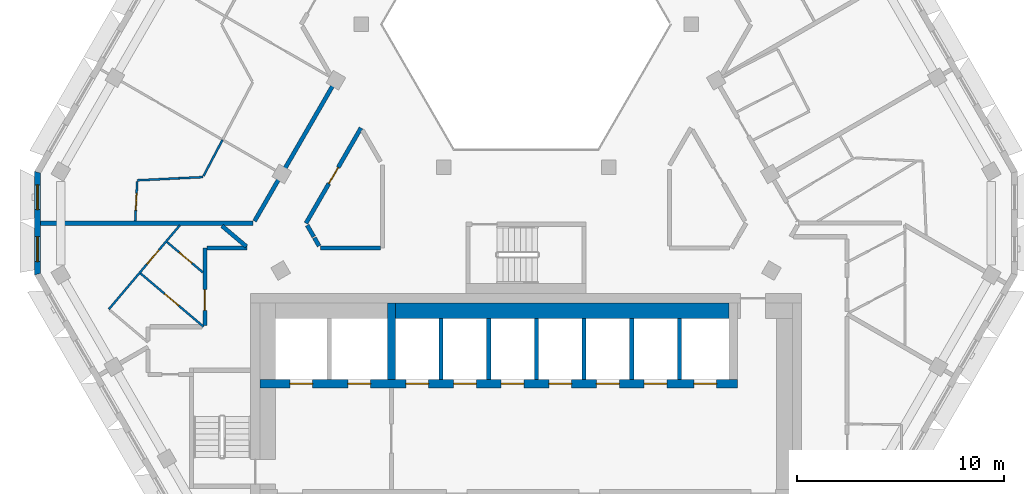
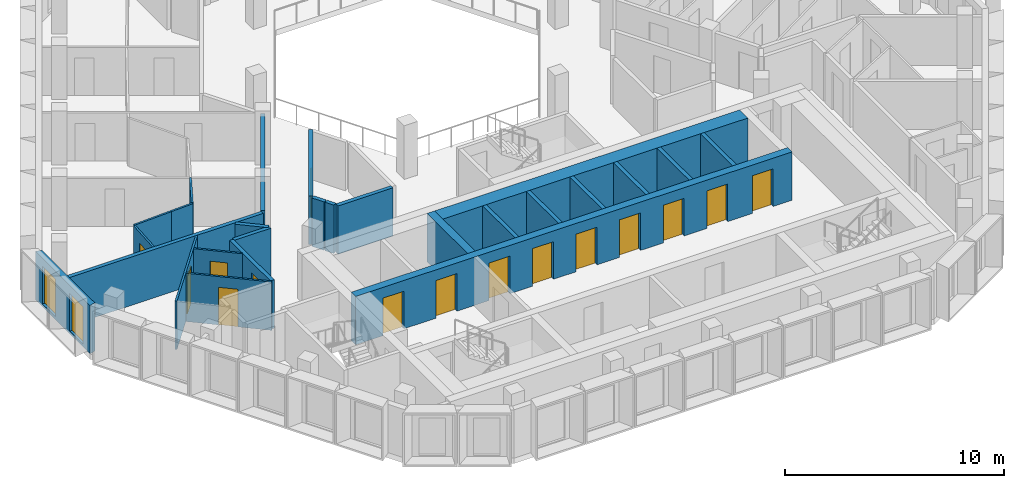
# One storey, part 4 of 16: 26 walls, 15 doors, 2 windows, 17 openings.
"""IFC4 building model written with IfcOpenShell, lengths in metres."""

from ifc_helpers import new_model, si_unit, direction, frame, frame_2d, origin, place, context, subcontext, project, spatial, polyline, rectangle, outline, extrude, material, layer, layer_set, type_object, element, fill, save


model = new_model("IFC4")

# Units and contexts
model_context = context("Model", 3, precision=1e-05, world=origin(), true_north=direction((0.0, 1.0)))
body_context = subcontext(model_context, "Body", "Model", "MODEL_VIEW")
ifc_project = project(units=[si_unit("LENGTHUNIT", "METRE"), si_unit("AREAUNIT", "SQUARE_METRE"), si_unit("VOLUMEUNIT", "CUBIC_METRE"), si_unit("PLANEANGLEUNIT", "RADIAN"), si_unit("MASSUNIT", "GRAM", prefix="KILO")], contexts=[model_context])

# Site, building, storey
site_placement = place(None, origin())
site = spatial("IfcSite", under=ifc_project, at=site_placement, CompositionType="ELEMENT")
building_placement = place(site_placement, origin())
building = spatial("IfcBuilding", under=site, at=building_placement, Name="Beryl Residences", CompositionType="ELEMENT")
storey_placement = place(building_placement, frame((0.0, 0.0, 238.800048828125)))
storey = spatial("IfcBuildingStorey", under=building, at=storey_placement, Name="L74", CompositionType="ELEMENT", Elevation=238.800048828125)

# Wall, openings, windows
ifc_material_1 = material(Name="Composite metal panel with mineral wool insulation")
ifc_layer_1 = layer(ifc_material_1, 0.300048828125)
ifc_layer_set_1 = layer_set([ifc_layer_1], Name="ES1 pale metal composite panel wall 300 mm")
wall_type_1 = type_object("IfcWallType", Name="ES1 pale metal composite panel wall 300 mm", PredefinedType="SOLIDWALL", material=ifc_layer_set_1)
wall_1_placement = place(storey_placement, frame((-23.5791015625, 0.89990234375, 0.0), z_axis=(0.0, 0.0, 1.0), x_axis=(0.0, -1.0, 0.0)))
wall_1 = element("IfcWall", 1, at=wall_1_placement, inside=storey, type_object=wall_type_1, Name="ES1 external wall L74 NW-SW", PredefinedType="SOLIDWALL", context=body_context, shape_type="SweptSolid", body=[
    extrude(outline(polyline([(0.0, -0.14990234375), (5.0, -0.14990234375), (4.919677734375, 0.14990234375), (0.080322265625, 0.14990234375), (0.0, -0.14990234375)])), origin(), (0.0, 0.0, 1.0), 2.699951171875),
])
opening_1_placement = place(wall_1_placement, frame((0.64990234375, 0.0, 0.14990234375)))
opening_1 = element("IfcOpeningElement", 2, at=opening_1_placement, cuts=wall_1, Name="Opening W2", PredefinedType="OPENING", context=body_context, shape_type="SweptSolid", body=[
    extrude(rectangle(XDim=1.199951171875, YDim=2.10009765625, at=frame_2d((0.60009765625, 1.050048828125))), frame((0.0, 0.159912109375, 0.0), z_axis=(0.0, -1.0, 0.0), x_axis=(1.0, 0.0, 0.0)), (0.0, 0.0, 1.0), 0.320068359375),
])
opening_2_placement = place(wall_1_placement, frame((3.14990234375, 0.0, 0.14990234375)))
opening_2 = element("IfcOpeningElement", 3, at=opening_2_placement, cuts=wall_1, Name="Opening W2", PredefinedType="OPENING", context=body_context, shape_type="SweptSolid", body=[
    extrude(rectangle(XDim=1.199951171875, YDim=2.10009765625, at=frame_2d((0.60009765625, 1.050048828125))), frame((0.0, 0.159912109375, 0.0), z_axis=(0.0, -1.0, 0.0), x_axis=(1.0, 0.0, 0.0)), (0.0, 0.0, 1.0), 0.320068359375),
])
ifc_material_2 = material(Name="Aluminium and clear glass", Category="aluminium")
window_type = type_object("IfcWindowType", Name="W2 chamfer window 1200 x 2100 mm", PartitioningType="SINGLE_PANEL", PredefinedType="WINDOW", material=ifc_material_2)
window_1_placement = place(opening_1_placement, origin())
window_1 = element("IfcWindow", 4, at=window_1_placement, inside=storey, type_object=window_type, Name="W2 window L74 NW-SW 1", OverallHeight=2.10009765625, OverallWidth=1.199951171875, PartitioningType="SINGLE_PANEL", PredefinedType="WINDOW", context=body_context, shape_type="SweptSolid", body=[
    extrude(rectangle(XDim=1.199951171875, YDim=2.10009765625, at=frame_2d((0.60009765625, 1.050048828125))), frame((0.0, 0.030029296875, 0.0), z_axis=(0.0, -1.0, 0.0), x_axis=(1.0, 0.0, 0.0)), (0.0, 0.0, 1.0), 0.06005859375),
])
fill(opening_1, window_1)
window_2_placement = place(opening_2_placement, origin())
window_2 = element("IfcWindow", 5, at=window_2_placement, inside=storey, type_object=window_type, Name="W2 window L74 NW-SW 2", OverallHeight=2.10009765625, OverallWidth=1.199951171875, PartitioningType="SINGLE_PANEL", PredefinedType="WINDOW", context=body_context, shape_type="SweptSolid", body=[
    extrude(rectangle(XDim=1.199951171875, YDim=2.10009765625, at=frame_2d((0.60009765625, 1.050048828125))), frame((0.0, 0.030029296875, 0.0), z_axis=(0.0, -1.0, 0.0), x_axis=(1.0, 0.0, 0.0)), (0.0, 0.0, 1.0), 0.06005859375),
])
fill(opening_2, window_2)

# Wall, opening, door
ifc_material_3 = material(Name="Gypsum board partition on steel studs", Category="steel")
ifc_layer_2 = layer(ifc_material_3, 0.10009765625)
ifc_layer_set_2 = layer_set([ifc_layer_2], Name="PT1 partition 100 mm gypsum board on steel studs")
wall_type_2 = type_object("IfcWallType", Name="PT1 partition 100 mm gypsum board on steel studs", PredefinedType="PARTITIONING", material=ifc_layer_set_2)
wall_2_placement = place(storey_placement, frame((-17.3330078125, -2.510986328125, 0.0), z_axis=(0.0, 0.0, 1.0), x_axis=(0.763651478242, -0.645628701174, 0.0)))
wall_2 = element("IfcWall", 6, at=wall_2_placement, inside=storey, type_object=wall_type_2, Name="Wall PT1 L74 019", PredefinedType="PARTITIONING", context=body_context, shape_type="SweptSolid", body=[
    extrude(rectangle(XDim=2.269287109375, YDim=0.10009765625, at=frame_2d((1.134765625, 0.0))), origin(), (0.0, 0.0, 1.0), 2.699951171875),
])
opening_3_placement = place(wall_2_placement, frame((0.77490234375, 0.0, 0.0)))
opening_3 = element("IfcOpeningElement", 7, at=opening_3_placement, cuts=wall_2, Name="Opening D2021", PredefinedType="OPENING", context=body_context, shape_type="SweptSolid", body=[
    extrude(rectangle(XDim=0.800048828125, YDim=2.10009765625, at=frame_2d((0.39990234375, 1.050048828125))), frame((0.0, 0.06005859375, 0.0), z_axis=(0.0, -1.0, 0.0), x_axis=(1.0, 0.0, 0.0)), (0.0, 0.0, 1.0), 0.1201171875),
])
ifc_material_4 = material(Name="Timber door leaf", Category="wood")
door_type_1 = type_object("IfcDoorType", Name="D3 bathroom door 800 x 2100 mm", OperationType="SINGLE_SWING_LEFT", PredefinedType="DOOR", material=ifc_material_4)
door_1_placement = place(opening_3_placement, origin())
door_1 = element("IfcDoor", 8, at=door_1_placement, inside=storey, type_object=door_type_1, Name="Door D2021 L74 001", OperationType="SINGLE_SWING_LEFT", OverallHeight=2.10009765625, OverallWidth=0.800048828125, PredefinedType="DOOR", context=body_context, shape_type="SweptSolid", body=[
    extrude(rectangle(XDim=0.800048828125, YDim=2.10009765625, at=frame_2d((0.39990234375, 1.050048828125))), frame((0.0, 0.02490234375, 0.0), z_axis=(0.0, -1.0, 0.0), x_axis=(1.0, 0.0, 0.0)), (0.0, 0.0, 1.0), 0.050048828125),
])
fill(opening_3, door_1)

wall_3_placement = place(storey_placement, frame((-18.611083984375, -4.02294921875, 0.0), z_axis=(0.0, 0.0, 1.0), x_axis=(0.763532454368, -0.645769456639, 0.0)))
wall_3 = element("IfcWall", 9, at=wall_3_placement, inside=storey, type_object=wall_type_2, Name="Wall PT1 L74 020", PredefinedType="PARTITIONING", context=body_context, shape_type="SweptSolid", body=[
    extrude(rectangle(XDim=3.99072265625, YDim=0.10009765625, at=frame_2d((1.995361328125, 0.0))), origin(), (0.0, 0.0, 1.0), 2.699951171875),
])
opening_4_placement = place(wall_3_placement, frame((1.52099609375, 0.0, 0.0)))
opening_4 = element("IfcOpeningElement", 10, at=opening_4_placement, cuts=wall_3, Name="Opening D2020", PredefinedType="OPENING", context=body_context, shape_type="SweptSolid", body=[
    extrude(rectangle(XDim=0.89990234375, YDim=2.10009765625, at=frame_2d((0.449951171875, 1.050048828125))), frame((0.0, 0.06005859375, 0.0), z_axis=(0.0, -1.0, 0.0), x_axis=(1.0, 0.0, 0.0)), (0.0, 0.0, 1.0), 0.1201171875),
])
ifc_material_5 = material(Name="Timber door leaf", Category="wood")
door_type_2 = type_object("IfcDoorType", Name="D2 room door 900 x 2100 mm", OperationType="SINGLE_SWING_LEFT", PredefinedType="DOOR", material=ifc_material_5)
door_2_placement = place(opening_4_placement, origin())
door_2 = element("IfcDoor", 11, at=door_2_placement, inside=storey, type_object=door_type_2, Name="Door D2020 L74 001", OperationType="SINGLE_SWING_RIGHT", OverallHeight=2.10009765625, OverallWidth=0.89990234375, PredefinedType="DOOR", context=body_context, shape_type="SweptSolid", body=[
    extrude(rectangle(XDim=0.89990234375, YDim=2.10009765625, at=frame_2d((0.449951171875, 1.050048828125))), frame((0.0, 0.02490234375, 0.0), z_axis=(0.0, -1.0, 0.0), x_axis=(1.0, 0.0, 0.0)), (0.0, 0.0, 1.0), 0.050048828125),
])
fill(opening_4, door_2)

wall_4_placement = place(storey_placement, frame((-20.14111328125, -5.75390625, 0.0), z_axis=(0.0, 0.0, 1.0), x_axis=(0.645717522601, 0.763576375359, 0.0)))
wall_4 = element("IfcWall", 12, at=wall_4_placement, inside=storey, type_object=wall_type_2, Name="Wall PT1 L74 023", PredefinedType="PARTITIONING", context=body_context, shape_type="SweptSolid", body=[
    extrude(rectangle(XDim=5.30908203125, YDim=0.10009765625, at=frame_2d((2.654541015625, 0.0))), origin(), (0.0, 0.0, 1.0), 2.699951171875),
])
opening_5_placement = place(wall_4_placement, frame((2.85009765625, 0.0, 0.0)))
opening_5 = element("IfcOpeningElement", 13, at=opening_5_placement, cuts=wall_4, Name="Opening D2022", PredefinedType="OPENING", context=body_context, shape_type="SweptSolid", body=[
    extrude(rectangle(XDim=0.89990234375, YDim=2.10009765625, at=frame_2d((0.449951171875, 1.050048828125))), frame((0.0, 0.06005859375, 0.0), z_axis=(0.0, -1.0, 0.0), x_axis=(1.0, 0.0, 0.0)), (0.0, 0.0, 1.0), 0.1201171875),
])
door_3_placement = place(opening_5_placement, origin())
door_3 = element("IfcDoor", 14, at=door_3_placement, inside=storey, type_object=door_type_2, Name="Door D2022 L74 001", OperationType="SINGLE_SWING_RIGHT", OverallHeight=2.10009765625, OverallWidth=0.89990234375, PredefinedType="DOOR", context=body_context, shape_type="SweptSolid", body=[
    extrude(rectangle(XDim=0.89990234375, YDim=2.10009765625, at=frame_2d((0.449951171875, 1.050048828125))), frame((0.0, 0.02490234375, 0.0), z_axis=(0.0, -1.0, 0.0), x_axis=(1.0, 0.0, 0.0)), (0.0, 0.0, 1.0), 0.050048828125),
])
fill(opening_5, door_3)

# Wall
wall_5_placement = place(storey_placement, frame((-15.572021484375, 0.676025390625, 0.0), z_axis=(0.0, 0.0, 1.0), x_axis=(0.465298498919, 0.885153832339, 0.0)))
element("IfcWall", 15, at=wall_5_placement, inside=storey, type_object=wall_type_2, Name="Wall PT1 L74 026", PredefinedType="PARTITIONING", context=body_context, shape_type="SweptSolid", body=[
    extrude(rectangle(XDim=1.97705078125, YDim=0.10009765625, at=frame_2d((0.988525390625, 0.0))), origin(), (0.0, 0.0, 1.0), 2.699951171875),
])

# Wall, opening, door
wall_6_placement = place(storey_placement, frame((-18.865966796875, -1.5, 0.0), z_axis=(0.0, 0.0, 1.0), x_axis=(0.048923533446, 0.998802526967, 0.0)))
wall_6 = element("IfcWall", 16, at=wall_6_placement, inside=storey, type_object=wall_type_2, Name="Wall PT1 L74 030", PredefinedType="PARTITIONING", context=body_context, shape_type="SweptSolid", body=[
    extrude(rectangle(XDim=1.921142578125, YDim=0.10009765625, at=frame_2d((0.96044921875, 0.0))), origin(), (0.0, 0.0, 1.0), 2.699951171875),
])
opening_6_placement = place(wall_6_placement, frame((0.535888671875, 0.0, 0.0)))
opening_6 = element("IfcOpeningElement", 17, at=opening_6_placement, cuts=wall_6, Name="Opening D2018", PredefinedType="OPENING", context=body_context, shape_type="SweptSolid", body=[
    extrude(rectangle(XDim=0.800048828125, YDim=2.10009765625, at=frame_2d((0.39990234375, 1.050048828125))), frame((0.0, 0.06005859375, 0.0), z_axis=(0.0, -1.0, 0.0), x_axis=(1.0, 0.0, 0.0)), (0.0, 0.0, 1.0), 0.1201171875),
])
door_4_placement = place(opening_6_placement, origin())
door_4 = element("IfcDoor", 18, at=door_4_placement, inside=storey, type_object=door_type_1, Name="Door D2018 L74 001", OperationType="SINGLE_SWING_RIGHT", OverallHeight=2.10009765625, OverallWidth=0.800048828125, PredefinedType="DOOR", context=body_context, shape_type="SweptSolid", body=[
    extrude(rectangle(XDim=0.800048828125, YDim=2.10009765625, at=frame_2d((0.39990234375, 1.050048828125))), frame((0.0, 0.02490234375, 0.0), z_axis=(0.0, -1.0, 0.0), x_axis=(1.0, 0.0, 0.0)), (0.0, 0.0, 1.0), 0.050048828125),
])
fill(opening_6, door_4)

# Walls
wall_7_placement = place(storey_placement, frame((-18.76904296875, 0.468994140625, 0.0), z_axis=(0.0, 0.0, 1.0), x_axis=(0.998780383332, 0.049373534108, 0.0)))
element("IfcWall", 19, at=wall_7_placement, inside=storey, type_object=wall_type_2, Name="Wall PT1 L74 041", PredefinedType="PARTITIONING", context=body_context, shape_type="SweptSolid", body=[
    extrude(rectangle(XDim=2.007568359375, YDim=0.10009765625, at=frame_2d((1.00390625, 0.0))), origin(), (0.0, 0.0, 1.0), 2.699951171875),
])
wall_8_placement = place(storey_placement, frame((-16.763916015625, 0.568115234375, 0.0), z_axis=(0.0, 0.0, 1.0), x_axis=(0.998809616198, 0.048778587419, 0.0)))
element("IfcWall", 20, at=wall_8_placement, inside=storey, type_object=wall_type_2, Name="Wall PT1 L74 042", PredefinedType="PARTITIONING", context=body_context, shape_type="SweptSolid", body=[
    extrude(rectangle(XDim=1.166259765625, YDim=0.10009765625, at=frame_2d((0.5830078125, 0.0))), origin(), (0.0, 0.0, 1.0), 2.699951171875),
])
ifc_material_6 = material(Name="Acoustic double stud gypsum board wall")
ifc_layer_3 = layer(ifc_material_6, 0.199951171875)
ifc_layer_set_3 = layer_set([ifc_layer_3], Name="PT3 party wall 200 mm acoustic double stud")
wall_type_3 = type_object("IfcWallType", Name="PT3 party wall 200 mm acoustic double stud", PredefinedType="PARTITIONING", material=ifc_layer_set_3)
wall_9_placement = place(storey_placement, frame((-14.677978515625, -1.72998046875, 0.0), z_axis=(0.0, 0.0, 1.0), x_axis=(0.763428399558, -0.645892466861, 0.0)))
element("IfcWall", 21, at=wall_9_placement, inside=storey, type_object=wall_type_3, Name="Wall PT3 L74 005", PredefinedType="PARTITIONING", context=body_context, shape_type="SweptSolid", body=[
    extrude(rectangle(XDim=1.5390625, YDim=0.199951171875, at=frame_2d((0.76953125, 0.0))), origin(), (0.0, 0.0, 1.0), 2.699951171875),
])
wall_10_placement = place(storey_placement, frame((-23.428955078125, -1.60107421875, 0.0), z_axis=(0.0, 0.0, 1.0), x_axis=(0.999999995449, 9.5406191e-05, 0.0)))
element("IfcWall", 22, at=wall_10_placement, inside=storey, type_object=wall_type_3, Name="Wall PT3 L74 006", PredefinedType="PARTITIONING", context=body_context, shape_type="SweptSolid", body=[
    extrude(rectangle(XDim=10.23583984375, YDim=0.199951171875, at=frame_2d((5.117919921875, 0.0))), origin(), (0.0, 0.0, 1.0), 2.699951171875),
])
ifc_material_7 = material(Name="Double stud gypsum board wall")
ifc_layer_4 = layer(ifc_material_7, 0.199951171875)
ifc_layer_set_4 = layer_set([ifc_layer_4], Name="PT4 corridor wall 200 mm double stud")
wall_type_4 = type_object("IfcWallType", Name="PT4 corridor wall 200 mm double stud", PredefinedType="PARTITIONING", material=ifc_layer_set_4)
wall_11_placement = place(storey_placement, frame((-10.56494140625, -1.700927734375, 0.0), z_axis=(0.0, 0.0, 1.0), x_axis=(0.499512735409, -0.866306543416, 0.0)))
element("IfcWall", 23, at=wall_11_placement, inside=storey, type_object=wall_type_4, Name="Wall PT4 L74 003", PredefinedType="PARTITIONING", context=body_context, shape_type="SweptSolid", body=[
    extrude(rectangle(XDim=0.638427734375, YDim=0.199951171875, at=frame_2d((0.3193359375, 0.0))), origin(), (0.0, 0.0, 1.0), 2.699951171875),
])
wall_12_placement = place(storey_placement, frame((-10.217041015625, -2.303955078125, 0.0), z_axis=(0.0, 0.0, 1.0), x_axis=(0.499013081552, -0.866594452117, 0.0)))
element("IfcWall", 24, at=wall_12_placement, inside=storey, type_object=wall_type_4, Name="Wall PT4 L74 004", PredefinedType="PARTITIONING", context=body_context, shape_type="SweptSolid", body=[
    extrude(rectangle(XDim=0.45703125, YDim=0.199951171875, at=frame_2d((0.228515625, 0.0))), origin(), (0.0, 0.0, 1.0), 2.699951171875),
])
wall_13_placement = place(storey_placement, frame((-15.39892578125, -2.800048828125, 0.0), z_axis=(0.0, 0.0, 1.0), x_axis=(1.0, 0.0, 0.0)))
element("IfcWall", 25, at=wall_13_placement, inside=storey, type_object=wall_type_4, Name="Wall PT4 L74 015", PredefinedType="PARTITIONING", context=body_context, shape_type="SweptSolid", body=[
    extrude(rectangle(XDim=1.9248046875, YDim=0.199951171875, at=frame_2d((0.96240234375, 0.0))), origin(), (0.0, 0.0, 1.0), 2.699951171875),
])
wall_14_placement = place(storey_placement, frame((-9.929931640625, -2.800048828125, 0.0), z_axis=(0.0, 0.0, 1.0), x_axis=(1.0, 0.0, 0.0)))
element("IfcWall", 26, at=wall_14_placement, inside=storey, type_object=wall_type_4, Name="Wall PT4 L74 016", PredefinedType="PARTITIONING", context=body_context, shape_type="SweptSolid", body=[
    extrude(rectangle(XDim=2.90087890625, YDim=0.199951171875, at=frame_2d((1.450439453125, 0.0))), origin(), (0.0, 0.0, 1.0), 2.699951171875),
])

# Wall, opening, door
wall_15_placement = place(storey_placement, frame((-10.623046875, -1.60009765625, 0.0), z_axis=(0.0, 0.0, 1.0), x_axis=(0.500040865889, 0.866001808567, 0.0)))
wall_15 = element("IfcWall", 27, at=wall_15_placement, inside=storey, type_object=wall_type_4, Name="Wall PT4 L74 024", PredefinedType="PARTITIONING", context=body_context, shape_type="SweptSolid", body=[
    extrude(rectangle(XDim=5.3095703125, YDim=0.199951171875, at=frame_2d((2.65478515625, 0.0))), origin(), (0.0, 0.0, 1.0), 2.699951171875),
])
opening_7_placement = place(wall_15_placement, frame((2.205078125, 0.0, 0.0)))
opening_7 = element("IfcOpeningElement", 28, at=opening_7_placement, cuts=wall_15, Name="Opening D2038", PredefinedType="OPENING", context=body_context, shape_type="SweptSolid", body=[
    extrude(rectangle(XDim=0.89990234375, YDim=2.10009765625, at=frame_2d((0.449951171875, 1.050048828125))), frame((0.0, 0.10986328125, 0.0), z_axis=(0.0, -1.0, 0.0), x_axis=(1.0, 0.0, 0.0)), (0.0, 0.0, 1.0), 0.219970703125),
])
door_5_placement = place(opening_7_placement, origin())
door_5 = element("IfcDoor", 29, at=door_5_placement, inside=storey, type_object=door_type_2, Name="Door D2038 L74 001", OperationType="SINGLE_SWING_RIGHT", OverallHeight=2.10009765625, OverallWidth=0.89990234375, PredefinedType="DOOR", context=body_context, shape_type="SweptSolid", body=[
    extrude(rectangle(XDim=0.89990234375, YDim=2.10009765625, at=frame_2d((0.449951171875, 1.050048828125))), frame((0.0, 0.02490234375, 0.0), z_axis=(0.0, -1.0, 0.0), x_axis=(1.0, 0.0, 0.0)), (0.0, 0.0, 1.0), 0.050048828125),
])
fill(opening_7, door_5)

# Wall
wall_16_placement = place(storey_placement, frame((-13.10595703125, -1.5, 0.0), z_axis=(0.0, 0.0, 1.0), x_axis=(0.500025705601, 0.86601056214, 0.0)))
element("IfcWall", 30, at=wall_16_placement, inside=storey, type_object=wall_type_4, Name="Wall PT4 L74 025", PredefinedType="PARTITIONING", context=body_context, shape_type="SweptSolid", body=[
    extrude(rectangle(XDim=7.7353515625, YDim=0.199951171875, at=frame_2d((3.86767578125, 0.0))), origin(), (0.0, 0.0, 1.0), 2.699951171875),
])

# Wall, opening, door
wall_17_placement = place(storey_placement, frame((-15.5, -6.533935546875, 0.0), z_axis=(0.0, 0.0, 1.0), x_axis=(0.0, 1.0, 0.0)))
wall_17 = element("IfcWall", 31, at=wall_17_placement, inside=storey, type_object=wall_type_4, Name="Wall PT4 L74 030", PredefinedType="PARTITIONING", context=body_context, shape_type="SweptSolid", body=[
    extrude(rectangle(XDim=3.73291015625, YDim=0.199951171875, at=frame_2d((1.866455078125, 0.0))), origin(), (0.0, 0.0, 1.0), 2.699951171875),
])
opening_8_placement = place(wall_17_placement, frame((0.72900390625, 0.0, 0.0)))
opening_8 = element("IfcOpeningElement", 32, at=opening_8_placement, cuts=wall_17, Name="Opening D2019", PredefinedType="OPENING", context=body_context, shape_type="SweptSolid", body=[
    extrude(rectangle(XDim=1.0, YDim=2.10009765625, at=frame_2d((0.5, 1.050048828125))), frame((0.0, 0.10986328125, 0.0), z_axis=(0.0, -1.0, 0.0), x_axis=(1.0, 0.0, 0.0)), (0.0, 0.0, 1.0), 0.219970703125),
])
ifc_material_8 = material(Name="Timber door leaf", Category="wood")
door_type_3 = type_object("IfcDoorType", Name="D1 flat entrance door 1000 x 2100 mm", OperationType="SINGLE_SWING_LEFT", PredefinedType="DOOR", material=ifc_material_8)
door_6_placement = place(opening_8_placement, origin())
door_6 = element("IfcDoor", 33, at=door_6_placement, inside=storey, type_object=door_type_3, Name="Door D2019 L74 001", OperationType="SINGLE_SWING_LEFT", OverallHeight=2.10009765625, OverallWidth=1.0, PredefinedType="DOOR", context=body_context, shape_type="SweptSolid", body=[
    extrude(rectangle(XDim=1.0, YDim=2.10009765625, at=frame_2d((0.5, 1.050048828125))), frame((0.0, 0.02490234375, 0.0), z_axis=(0.0, -1.0, 0.0), x_axis=(1.0, 0.0, 0.0)), (0.0, 0.0, 1.0), 0.050048828125),
])
fill(opening_8, door_6)

# Walls
ifc_material_9 = material(Name="Concrete C40/50", Category="concrete")
ifc_layer_5 = layer(ifc_material_9, 0.199951171875)
ifc_layer_set_5 = layer_set([ifc_layer_5], Name="PT6 lift shaft wall 200 mm reinforced concrete C40/50")
wall_type_5 = type_object("IfcWallType", Name="PT6 lift shaft wall 200 mm reinforced concrete C40/50", PredefinedType="SOLIDWALL", material=ifc_layer_set_5)
for number, where, z_axis, x_axis, name in (
    (34, (-4.10009765625, -9.14990234375, 0.0), (0.0, 0.0, 1.0), (0.0, 1.0, 0.0), "Lift shaft wall 15"),
    (35, (-1.800048828125, -9.14990234375, 0.0), (0.0, 0.0, 1.0), (0.0, 1.0, 0.0), "Lift shaft wall 17"),
    (36, (0.5, -9.14990234375, 0.0), (0.0, 0.0, 1.0), (0.0, 1.0, 0.0), "Lift shaft wall 19"),
    (37, (2.800048828125, -9.14990234375, 0.0), (0.0, 0.0, 1.0), (0.0, 1.0, 0.0), "Lift shaft wall 20"),
    (38, (5.10009765625, -9.14990234375, 0.0), (0.0, 0.0, 1.0), (0.0, 1.0, 0.0), "Lift shaft wall 21"),
    (39, (7.39990234375, -9.14990234375, 0.0), (0.0, 0.0, 1.0), (0.0, 1.0, 0.0), "Lift shaft wall 23"),
):
    element("IfcWall", number, at=place(storey_placement, frame(where, z_axis=z_axis, x_axis=x_axis)), inside=storey, type_object=wall_type_5, Name=name, PredefinedType="SOLIDWALL", context=body_context, shape_type="SweptSolid", body=[
        extrude(rectangle(XDim=2.949951171875, YDim=0.199951171875, at=frame_2d((1.47509765625, 0.0))), origin(), (0.0, 0.0, 1.0), 2.699951171875),
    ])
ifc_material_10 = material(Name="Concrete C40/50", Category="concrete")
ifc_layer_6 = layer(ifc_material_10, 0.75)
ifc_layer_set_6 = layer_set([ifc_layer_6], Name="PT6-750 lift shaft wall 750 mm")
wall_type_6 = type_object("IfcWallType", Name="PT6-750 lift shaft wall 750 mm", PredefinedType="SOLIDWALL", material=ifc_layer_set_6)
wall_18_placement = place(storey_placement, frame((-6.300048828125, -5.824951171875, 0.0), z_axis=(0.0, 0.0, 1.0), x_axis=(1.0, 0.0, 0.0)))
element("IfcWall", 40, at=wall_18_placement, inside=storey, type_object=wall_type_6, Name="Lift shaft wall 14", PredefinedType="SOLIDWALL", context=body_context, shape_type="SweptSolid", body=[
    extrude(rectangle(XDim=16.10009765625, YDim=0.75, at=frame_2d((8.050048828125, 0.0))), origin(), (0.0, 0.0, 1.0), 2.699951171875),
])

# Wall, openings, doors
ifc_material_11 = material(Name="Concrete C50/60", Category="concrete")
ifc_layer_7 = layer(ifc_material_11, 0.39990234375)
ifc_layer_set_7 = layer_set([ifc_layer_7], Name="SW10 core internal wall 400 mm C50/60")
wall_type_7 = type_object("IfcWallType", Name="SW10 core internal wall 400 mm C50/60", PredefinedType="SHEAR", material=ifc_layer_set_7)
wall_19_placement = place(storey_placement, frame((-12.85009765625, -9.35009765625, 0.0), z_axis=(0.0, 0.0, 1.0), x_axis=(1.0, 0.0, 0.0)))
wall_19 = element("IfcWall", 41, at=wall_19_placement, inside=storey, type_object=wall_type_7, Name="Core wall SP2 L74", PredefinedType="SHEAR", context=body_context, shape_type="SweptSolid", body=[
    extrude(rectangle(XDim=23.050048828125, YDim=0.39990234375, at=frame_2d((11.52490234375, 0.0))), origin(), (0.0, 0.0, 1.0), 2.699951171875),
])
opening_9_placement = place(wall_19_placement, frame((1.449951171875, 0.0, 0.0)))
opening_9 = element("IfcOpeningElement", 42, at=opening_9_placement, cuts=wall_19, Name="Opening LD-FF1", PredefinedType="OPENING", context=body_context, shape_type="SweptSolid", body=[
    extrude(rectangle(XDim=1.10009765625, YDim=2.10009765625, at=frame_2d((0.550048828125, 1.050048828125))), frame((0.0, 0.2099609375, 0.0), z_axis=(0.0, -1.0, 0.0), x_axis=(1.0, 0.0, 0.0)), (0.0, 0.0, 1.0), 0.419921875),
])
opening_10_placement = place(wall_19_placement, frame((4.25, 0.0, 0.0)))
opening_10 = element("IfcOpeningElement", 43, at=opening_10_placement, cuts=wall_19, Name="Opening LD-FF2", PredefinedType="OPENING", context=body_context, shape_type="SweptSolid", body=[
    extrude(rectangle(XDim=1.10009765625, YDim=2.10009765625, at=frame_2d((0.550048828125, 1.050048828125))), frame((0.0, 0.2099609375, 0.0), z_axis=(0.0, -1.0, 0.0), x_axis=(1.0, 0.0, 0.0)), (0.0, 0.0, 1.0), 0.419921875),
])
opening_11_placement = place(wall_19_placement, frame((7.050048828125, 0.0, 0.0)))
opening_11 = element("IfcOpeningElement", 44, at=opening_11_placement, cuts=wall_19, Name="Opening LD-HR1", PredefinedType="OPENING", context=body_context, shape_type="SweptSolid", body=[
    extrude(rectangle(XDim=1.10009765625, YDim=2.10009765625, at=frame_2d((0.550048828125, 1.050048828125))), frame((0.0, 0.2099609375, 0.0), z_axis=(0.0, -1.0, 0.0), x_axis=(1.0, 0.0, 0.0)), (0.0, 0.0, 1.0), 0.419921875),
])
opening_12_placement = place(wall_19_placement, frame((9.35009765625, 0.0, 0.0)))
opening_12 = element("IfcOpeningElement", 45, at=opening_12_placement, cuts=wall_19, Name="Opening LD-HR2", PredefinedType="OPENING", context=body_context, shape_type="SweptSolid", body=[
    extrude(rectangle(XDim=1.10009765625, YDim=2.10009765625, at=frame_2d((0.550048828125, 1.050048828125))), frame((0.0, 0.2099609375, 0.0), z_axis=(0.0, -1.0, 0.0), x_axis=(1.0, 0.0, 0.0)), (0.0, 0.0, 1.0), 0.419921875),
])
opening_13_placement = place(wall_19_placement, frame((11.64990234375, 0.0, 0.0)))
opening_13 = element("IfcOpeningElement", 46, at=opening_13_placement, cuts=wall_19, Name="Opening LD-HR3", PredefinedType="OPENING", context=body_context, shape_type="SweptSolid", body=[
    extrude(rectangle(XDim=1.10009765625, YDim=2.10009765625, at=frame_2d((0.550048828125, 1.050048828125))), frame((0.0, 0.2099609375, 0.0), z_axis=(0.0, -1.0, 0.0), x_axis=(1.0, 0.0, 0.0)), (0.0, 0.0, 1.0), 0.419921875),
])
opening_14_placement = place(wall_19_placement, frame((13.949951171875, 0.0, 0.0)))
opening_14 = element("IfcOpeningElement", 47, at=opening_14_placement, cuts=wall_19, Name="Opening LD-HR4", PredefinedType="OPENING", context=body_context, shape_type="SweptSolid", body=[
    extrude(rectangle(XDim=1.10009765625, YDim=2.10009765625, at=frame_2d((0.550048828125, 1.050048828125))), frame((0.0, 0.2099609375, 0.0), z_axis=(0.0, -1.0, 0.0), x_axis=(1.0, 0.0, 0.0)), (0.0, 0.0, 1.0), 0.419921875),
])
opening_15_placement = place(wall_19_placement, frame((16.25, 0.0, 0.0)))
opening_15 = element("IfcOpeningElement", 48, at=opening_15_placement, cuts=wall_19, Name="Opening LD-HR5", PredefinedType="OPENING", context=body_context, shape_type="SweptSolid", body=[
    extrude(rectangle(XDim=1.10009765625, YDim=2.10009765625, at=frame_2d((0.550048828125, 1.050048828125))), frame((0.0, 0.2099609375, 0.0), z_axis=(0.0, -1.0, 0.0), x_axis=(1.0, 0.0, 0.0)), (0.0, 0.0, 1.0), 0.419921875),
])
opening_16_placement = place(wall_19_placement, frame((18.550048828125, 0.0, 0.0)))
opening_16 = element("IfcOpeningElement", 49, at=opening_16_placement, cuts=wall_19, Name="Opening LD-HR6", PredefinedType="OPENING", context=body_context, shape_type="SweptSolid", body=[
    extrude(rectangle(XDim=1.10009765625, YDim=2.10009765625, at=frame_2d((0.550048828125, 1.050048828125))), frame((0.0, 0.2099609375, 0.0), z_axis=(0.0, -1.0, 0.0), x_axis=(1.0, 0.0, 0.0)), (0.0, 0.0, 1.0), 0.419921875),
])
opening_17_placement = place(wall_19_placement, frame((20.949951171875, 0.0, 0.0)))
opening_17 = element("IfcOpeningElement", 50, at=opening_17_placement, cuts=wall_19, Name="Opening LD-SL1", PredefinedType="OPENING", context=body_context, shape_type="SweptSolid", body=[
    extrude(rectangle(XDim=1.10009765625, YDim=2.10009765625, at=frame_2d((0.550048828125, 1.050048828125))), frame((0.0, 0.2099609375, 0.0), z_axis=(0.0, -1.0, 0.0), x_axis=(1.0, 0.0, 0.0)), (0.0, 0.0, 1.0), 0.419921875),
])
ifc_material_12 = material(Name="Stainless steel sliding door", Category="steel")
door_type_4 = type_object("IfcDoorType", Name="LD1 lift landing door 1100 x 2100 mm", OperationType="DOUBLE_DOOR_SLIDING", PredefinedType="DOOR", material=ifc_material_12)
door_7_placement = place(opening_9_placement, origin())
door_7 = element("IfcDoor", 51, at=door_7_placement, inside=storey, type_object=door_type_4, Name="Lift landing door FF1", OperationType="DOUBLE_DOOR_SLIDING", OverallHeight=2.10009765625, OverallWidth=1.10009765625, PredefinedType="DOOR", context=body_context, shape_type="SweptSolid", body=[
    extrude(rectangle(XDim=1.10009765625, YDim=2.10009765625, at=frame_2d((0.550048828125, 1.050048828125))), frame((0.0, 0.02490234375, 0.0), z_axis=(0.0, -1.0, 0.0), x_axis=(1.0, 0.0, 0.0)), (0.0, 0.0, 1.0), 0.050048828125),
])
fill(opening_9, door_7)
door_8_placement = place(opening_10_placement, origin())
door_8 = element("IfcDoor", 52, at=door_8_placement, inside=storey, type_object=door_type_4, Name="Lift landing door FF2", OperationType="DOUBLE_DOOR_SLIDING", OverallHeight=2.10009765625, OverallWidth=1.10009765625, PredefinedType="DOOR", context=body_context, shape_type="SweptSolid", body=[
    extrude(rectangle(XDim=1.10009765625, YDim=2.10009765625, at=frame_2d((0.550048828125, 1.050048828125))), frame((0.0, 0.02490234375, 0.0), z_axis=(0.0, -1.0, 0.0), x_axis=(1.0, 0.0, 0.0)), (0.0, 0.0, 1.0), 0.050048828125),
])
fill(opening_10, door_8)
door_9_placement = place(opening_11_placement, origin())
door_9 = element("IfcDoor", 53, at=door_9_placement, inside=storey, type_object=door_type_4, Name="Lift landing door HR1", OperationType="DOUBLE_DOOR_SLIDING", OverallHeight=2.10009765625, OverallWidth=1.10009765625, PredefinedType="DOOR", context=body_context, shape_type="SweptSolid", body=[
    extrude(rectangle(XDim=1.10009765625, YDim=2.10009765625, at=frame_2d((0.550048828125, 1.050048828125))), frame((0.0, 0.02490234375, 0.0), z_axis=(0.0, -1.0, 0.0), x_axis=(1.0, 0.0, 0.0)), (0.0, 0.0, 1.0), 0.050048828125),
])
fill(opening_11, door_9)
door_10_placement = place(opening_12_placement, origin())
door_10 = element("IfcDoor", 54, at=door_10_placement, inside=storey, type_object=door_type_4, Name="Lift landing door HR2", OperationType="DOUBLE_DOOR_SLIDING", OverallHeight=2.10009765625, OverallWidth=1.10009765625, PredefinedType="DOOR", context=body_context, shape_type="SweptSolid", body=[
    extrude(rectangle(XDim=1.10009765625, YDim=2.10009765625, at=frame_2d((0.550048828125, 1.050048828125))), frame((0.0, 0.02490234375, 0.0), z_axis=(0.0, -1.0, 0.0), x_axis=(1.0, 0.0, 0.0)), (0.0, 0.0, 1.0), 0.050048828125),
])
fill(opening_12, door_10)
door_11_placement = place(opening_13_placement, origin())
door_11 = element("IfcDoor", 55, at=door_11_placement, inside=storey, type_object=door_type_4, Name="Lift landing door HR3", OperationType="DOUBLE_DOOR_SLIDING", OverallHeight=2.10009765625, OverallWidth=1.10009765625, PredefinedType="DOOR", context=body_context, shape_type="SweptSolid", body=[
    extrude(rectangle(XDim=1.10009765625, YDim=2.10009765625, at=frame_2d((0.550048828125, 1.050048828125))), frame((0.0, 0.02490234375, 0.0), z_axis=(0.0, -1.0, 0.0), x_axis=(1.0, 0.0, 0.0)), (0.0, 0.0, 1.0), 0.050048828125),
])
fill(opening_13, door_11)
door_12_placement = place(opening_14_placement, origin())
door_12 = element("IfcDoor", 56, at=door_12_placement, inside=storey, type_object=door_type_4, Name="Lift landing door HR4", OperationType="DOUBLE_DOOR_SLIDING", OverallHeight=2.10009765625, OverallWidth=1.10009765625, PredefinedType="DOOR", context=body_context, shape_type="SweptSolid", body=[
    extrude(rectangle(XDim=1.10009765625, YDim=2.10009765625, at=frame_2d((0.550048828125, 1.050048828125))), frame((0.0, 0.02490234375, 0.0), z_axis=(0.0, -1.0, 0.0), x_axis=(1.0, 0.0, 0.0)), (0.0, 0.0, 1.0), 0.050048828125),
])
fill(opening_14, door_12)
door_13_placement = place(opening_15_placement, origin())
door_13 = element("IfcDoor", 57, at=door_13_placement, inside=storey, type_object=door_type_4, Name="Lift landing door HR5", OperationType="DOUBLE_DOOR_SLIDING", OverallHeight=2.10009765625, OverallWidth=1.10009765625, PredefinedType="DOOR", context=body_context, shape_type="SweptSolid", body=[
    extrude(rectangle(XDim=1.10009765625, YDim=2.10009765625, at=frame_2d((0.550048828125, 1.050048828125))), frame((0.0, 0.02490234375, 0.0), z_axis=(0.0, -1.0, 0.0), x_axis=(1.0, 0.0, 0.0)), (0.0, 0.0, 1.0), 0.050048828125),
])
fill(opening_15, door_13)
door_14_placement = place(opening_16_placement, origin())
door_14 = element("IfcDoor", 58, at=door_14_placement, inside=storey, type_object=door_type_4, Name="Lift landing door HR6", OperationType="DOUBLE_DOOR_SLIDING", OverallHeight=2.10009765625, OverallWidth=1.10009765625, PredefinedType="DOOR", context=body_context, shape_type="SweptSolid", body=[
    extrude(rectangle(XDim=1.10009765625, YDim=2.10009765625, at=frame_2d((0.550048828125, 1.050048828125))), frame((0.0, 0.02490234375, 0.0), z_axis=(0.0, -1.0, 0.0), x_axis=(1.0, 0.0, 0.0)), (0.0, 0.0, 1.0), 0.050048828125),
])
fill(opening_16, door_14)
door_15_placement = place(opening_17_placement, origin())
door_15 = element("IfcDoor", 59, at=door_15_placement, inside=storey, type_object=door_type_4, Name="Lift landing door SL1", OperationType="DOUBLE_DOOR_SLIDING", OverallHeight=2.10009765625, OverallWidth=1.10009765625, PredefinedType="DOOR", context=body_context, shape_type="SweptSolid", body=[
    extrude(rectangle(XDim=1.10009765625, YDim=2.10009765625, at=frame_2d((0.550048828125, 1.050048828125))), frame((0.0, 0.02490234375, 0.0), z_axis=(0.0, -1.0, 0.0), x_axis=(1.0, 0.0, 0.0)), (0.0, 0.0, 1.0), 0.050048828125),
])
fill(opening_17, door_15)

# Wall
wall_20_placement = place(storey_placement, frame((-6.5, -9.14990234375, 0.0), z_axis=(0.0, 0.0, 1.0), x_axis=(0.0, 1.0, 0.0)))
element("IfcWall", 60, at=wall_20_placement, inside=storey, type_object=wall_type_7, Name="Core wall XN1 L74", PredefinedType="SHEAR", context=body_context, shape_type="SweptSolid", body=[
    extrude(rectangle(XDim=3.699951171875, YDim=0.39990234375, at=frame_2d((1.85009765625, 0.0))), origin(), (0.0, 0.0, 1.0), 2.699951171875),
])

save(model, "model.ifc")
